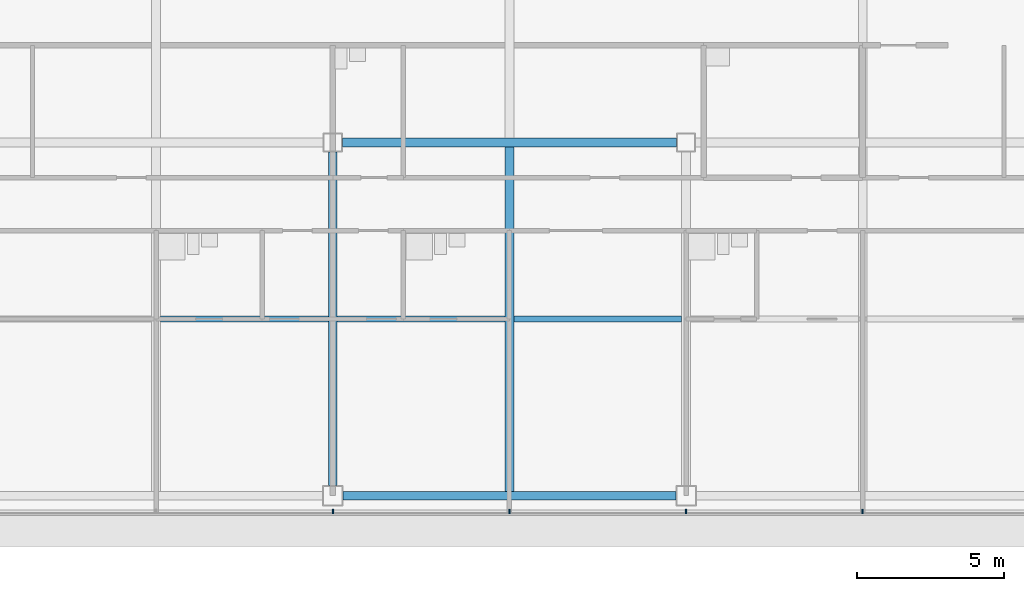
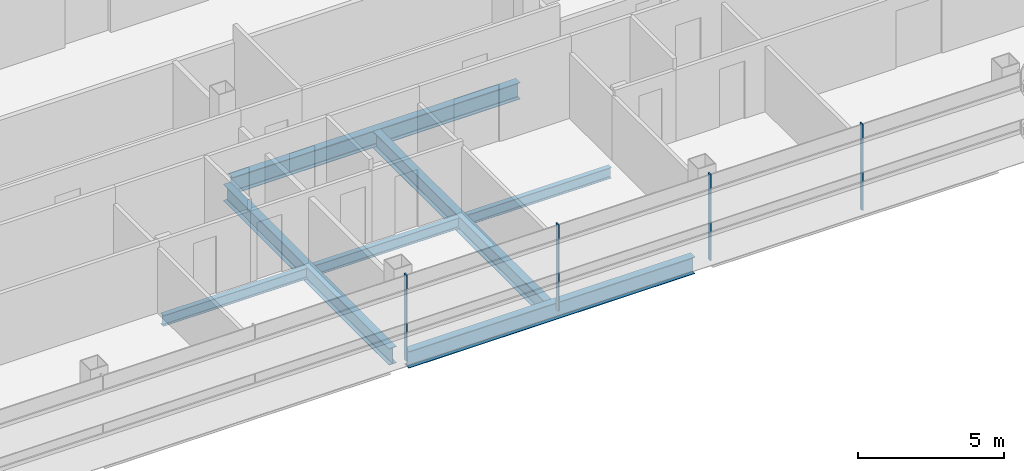
# One storey, part 8 of 27: 7 beams, 4 members, 1 element without a shape of its own.
"""IFC4 building model written with IfcOpenShell, lengths in metres."""

from ifc_helpers import new_model, si_unit, direction, frame, origin, origin_2d, place, context, subcontext, project, spatial, rectangle, i_section, extrude, material, material_profile, profile_set, type_object, element, aggregate, save


model = new_model("IFC4")

# Units and contexts
model_context = context("Model", 3, precision=1e-05, world=origin(), true_north=direction((0.0, 1.0)))
body_context = subcontext(model_context, "Body", "Model", "MODEL_VIEW")
ifc_project = project(units=[si_unit("LENGTHUNIT", "METRE"), si_unit("AREAUNIT", "SQUARE_METRE"), si_unit("VOLUMEUNIT", "CUBIC_METRE"), si_unit("PLANEANGLEUNIT", "RADIAN"), si_unit("MASSUNIT", "GRAM", prefix="KILO")], contexts=[model_context])

# Site, building, storey
site_placement = place(None, origin())
site = spatial("IfcSite", under=ifc_project, at=site_placement, CompositionType="ELEMENT")
building_placement = place(site_placement, origin())
building = spatial("IfcBuilding", under=site, at=building_placement, Name="Sorahane Residences", CompositionType="ELEMENT")
storey_placement = place(building_placement, frame((0.0, 0.0, 195.60009765625)))
storey = spatial("IfcBuildingStorey", under=building, at=storey_placement, Name="L45", CompositionType="ELEMENT", Elevation=195.60009765625)

# Curtain wall, members
ifc_material_1 = material(Name="Dark low-e glass and black anodised aluminium", Category="aluminium")
curtain_wall_type = type_object("IfcCurtainWallType", Name="Curtain wall CW-1 Typical unitised wall", PredefinedType="NOTDEFINED", material=ifc_material_1)
curtain_wall_placement = place(storey_placement, origin())
curtain_wall = element("IfcCurtainWall", 1, at=curtain_wall_placement, inside=storey, type_object=curtain_wall_type, Name="CW-1 curtain wall L45 S1", PredefinedType="NOTDEFINED")
ifc_material_2 = material(Name="Black anodised aluminium", Category="aluminium")
ifc_material_profile_1 = material_profile(ifc_material_2, rectangle(XDim=0.159912109375, YDim=0.050048828125, at=origin_2d()), Name="Curtain wall mullion CW-1 black anodised aluminium 50x160")
ifc_profile_set_1 = profile_set([ifc_material_profile_1], Name="Black anodised aluminium")
member_type = type_object("IfcMemberType", Name="Curtain wall mullion CW-1 black anodised aluminium 50x160", PredefinedType="MULLION", material=ifc_profile_set_1)
member_1_placement = place(storey_placement, frame((24.0, -0.5400390625, -0.18017578125), z_axis=(0.0, 0.0, 1.0), x_axis=(0.0, -1.0, 0.0)))
member_1 = element("IfcMember", 2, at=member_1_placement, type_object=member_type, Name="CW-1 mullion L45 S1.6", PredefinedType="MULLION", context=body_context, shape_type="SweptSolid", body=[
    extrude(rectangle(XDim=0.159912109375, YDim=0.050048828125, at=origin_2d()), origin(), (0.0, 0.0, 1.0), 3.60009765625),
])
member_2_placement = place(storey_placement, frame((30.0, -0.5400390625, -0.18017578125), z_axis=(0.0, 0.0, 1.0), x_axis=(0.0, -1.0, 0.0)))
member_2 = element("IfcMember", 3, at=member_2_placement, type_object=member_type, Name="CW-1 mullion L45 S1.7", PredefinedType="MULLION", context=body_context, shape_type="SweptSolid", body=[
    extrude(rectangle(XDim=0.159912109375, YDim=0.050048828125, at=origin_2d()), origin(), (0.0, 0.0, 1.0), 3.60009765625),
])
member_3_placement = place(storey_placement, frame((36.0, -0.5400390625, -0.18017578125), z_axis=(0.0, 0.0, 1.0), x_axis=(0.0, -1.0, 0.0)))
member_3 = element("IfcMember", 4, at=member_3_placement, type_object=member_type, Name="CW-1 mullion L45 S1.8", PredefinedType="MULLION", context=body_context, shape_type="SweptSolid", body=[
    extrude(rectangle(XDim=0.159912109375, YDim=0.050048828125, at=origin_2d()), origin(), (0.0, 0.0, 1.0), 3.60009765625),
])
member_4_placement = place(storey_placement, frame((42.0, -0.5400390625, -0.18017578125), z_axis=(0.0, 0.0, 1.0), x_axis=(0.0, -1.0, 0.0)))
member_4 = element("IfcMember", 5, at=member_4_placement, type_object=member_type, Name="CW-1 mullion L45 S1.9", PredefinedType="MULLION", context=body_context, shape_type="SweptSolid", body=[
    extrude(rectangle(XDim=0.159912109375, YDim=0.050048828125, at=origin_2d()), origin(), (0.0, 0.0, 1.0), 3.60009765625),
])
aggregate(curtain_wall, [member_1, member_2, member_3, member_4])

# Beams
ifc_material_3 = material(Name="Steel Q355B", Category="steel")
ifc_material_profile_2 = material_profile(ifc_material_3, i_section(OverallWidth=0.199951171875, OverallDepth=0.449951171875, WebThickness=0.009033203125, FlangeThickness=0.013916015625, FilletRadius=0.02001953125, at=origin_2d()), Name="HN 450x200x9x14")
ifc_profile_set_2 = profile_set([ifc_material_profile_2], Name="Steel Q355B")
beam_type_1 = type_object("IfcBeamType", Name="Steel floor beam HN 450x200x9x14 Q355B", PredefinedType="BEAM", material=ifc_profile_set_2)
for number, where, z_axis, x_axis, name in (
    (6, (18.14990234375, 6.0, -0.405029296875), (1.0, 0.0, 0.0), (0.0, 1.0, 0.0), "Beam L45 072"),
    (7, (24.14990234375, 6.0, -0.405029296875), (1.0, 0.0, 0.0), (0.0, 1.0, 0.0), "Beam L45 073"),
    (8, (30.14990234375, 6.0, -0.405029296875), (1.0, 0.0, 0.0), (0.0, 1.0, 0.0), "Beam L45 074"),
):
    element("IfcBeam", number, at=place(storey_placement, frame(where, z_axis=z_axis, x_axis=x_axis)), inside=storey, type_object=beam_type_1, Name=name, PredefinedType="BEAM", context=body_context, shape_type="SweptSolid", body=[
        extrude(i_section(OverallWidth=0.199951171875, OverallDepth=0.449951171875, WebThickness=0.009033203125, FlangeThickness=0.013916015625, FilletRadius=0.02001953125, at=origin_2d()), origin(), (0.0, 0.0, 1.0), 5.7001953125),
    ])
ifc_material_4 = material(Name="Steel Q355B", Category="steel")
ifc_material_profile_3 = material_profile(ifc_material_4, i_section(OverallWidth=0.300048828125, OverallDepth=0.699951171875, WebThickness=0.012939453125, FlangeThickness=0.02392578125, FilletRadius=0.028076171875, at=origin_2d()), Name="HN 700x300x13x24")
ifc_profile_set_3 = profile_set([ifc_material_profile_3], Name="Steel Q355B")
beam_type_2 = type_object("IfcBeamType", Name="Steel floor beam HN 700x300x13x24 Q355B", PredefinedType="BEAM", material=ifc_profile_set_3)
beam_1_placement = place(storey_placement, frame((24.35009765625, 0.0, -0.530029296875), z_axis=(1.0, 0.0, 0.0), x_axis=(0.0, 1.0, 0.0)))
element("IfcBeam", 9, at=beam_1_placement, inside=storey, type_object=beam_type_2, Name="Beam L45 003", PredefinedType="BEAM", context=body_context, shape_type="SweptSolid", body=[
    extrude(i_section(OverallWidth=0.300048828125, OverallDepth=0.699951171875, WebThickness=0.012939453125, FlangeThickness=0.02392578125, FilletRadius=0.028076171875, at=origin_2d()), origin(), (0.0, 0.0, 1.0), 11.2998046875),
])
beam_2_placement = place(storey_placement, frame((24.324951171875, 12.0, -0.530029296875), z_axis=(1.0, 0.0, 0.0), x_axis=(0.0, 1.0, 0.0)))
element("IfcBeam", 10, at=beam_2_placement, inside=storey, type_object=beam_type_2, Name="Beam L45 008", PredefinedType="BEAM", context=body_context, shape_type="SweptSolid", body=[
    extrude(i_section(OverallWidth=0.300048828125, OverallDepth=0.699951171875, WebThickness=0.012939453125, FlangeThickness=0.02392578125, FilletRadius=0.028076171875, at=origin_2d()), origin(), (0.0, 0.0, 1.0), 11.35009765625),
])
beam_3_placement = place(storey_placement, frame((24.0, 0.35009765625, -0.530029296875), z_axis=(0.0, 1.0, 0.0), x_axis=(-1.0, 0.0, 0.0)))
element("IfcBeam", 11, at=beam_3_placement, inside=storey, type_object=beam_type_2, Name="Beam L45 042", PredefinedType="BEAM", context=body_context, shape_type="SweptSolid", body=[
    extrude(i_section(OverallWidth=0.300048828125, OverallDepth=0.699951171875, WebThickness=0.012939453125, FlangeThickness=0.02392578125, FilletRadius=0.028076171875, at=origin_2d()), origin(), (0.0, 0.0, 1.0), 11.324951171875),
])
beam_4_placement = place(storey_placement, frame((30.0, 0.14990234375, -0.530029296875), z_axis=(0.0, 1.0, 0.0), x_axis=(-1.0, 0.0, 0.0)))
element("IfcBeam", 12, at=beam_4_placement, inside=storey, type_object=beam_type_2, Name="Beam L45 044", PredefinedType="BEAM", context=body_context, shape_type="SweptSolid", body=[
    extrude(i_section(OverallWidth=0.300048828125, OverallDepth=0.699951171875, WebThickness=0.012939453125, FlangeThickness=0.02392578125, FilletRadius=0.028076171875, at=origin_2d()), origin(), (0.0, 0.0, 1.0), 11.7001953125),
])

save(model, "model.ifc")
